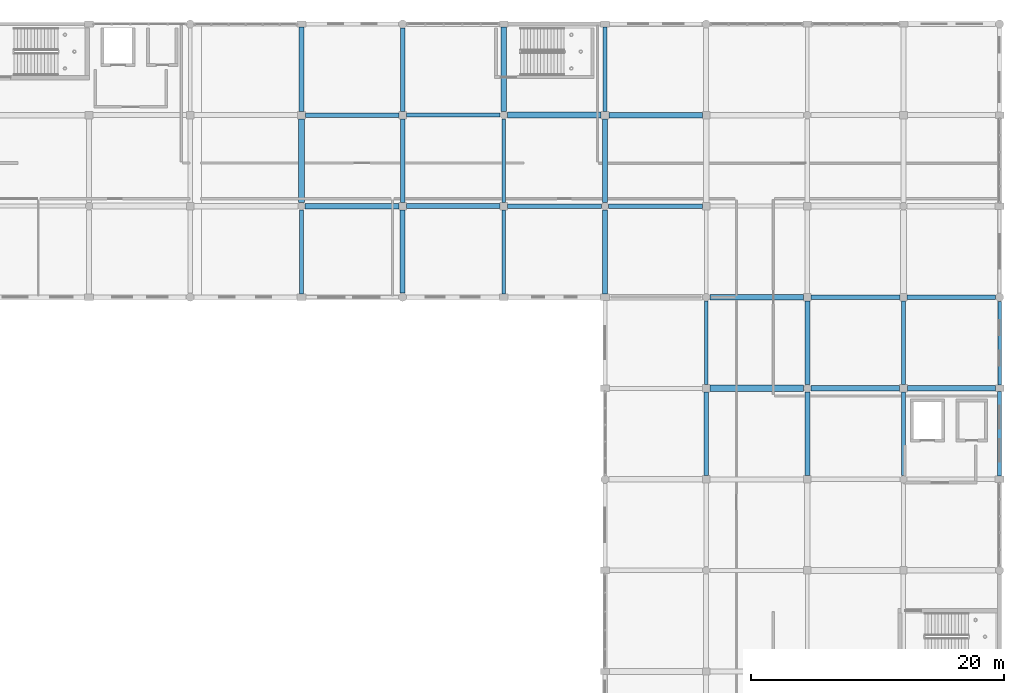
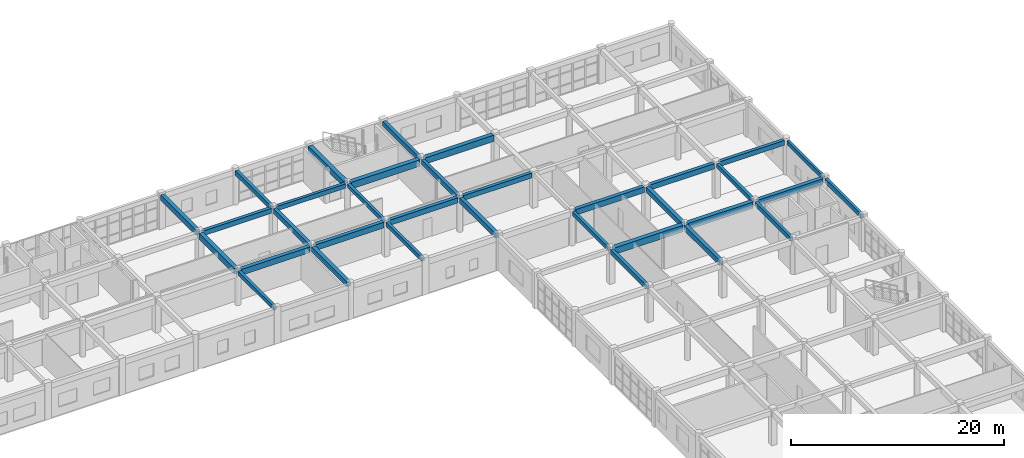
# One storey, part 29 of 53: 34 beams.
"""IFC4 building model written with IfcOpenShell, lengths in metres."""

from ifc_helpers import new_model, si_unit, direction, frame, origin, origin_2d, place, context, subcontext, project, spatial, rectangle, extrude, material, material_profile, profile_set, type_object, element, save


model = new_model("IFC4")

# Units and contexts
model_context = context("Model", 3, precision=1e-05, world=origin(), true_north=direction((0.0, 1.0)))
body_context = subcontext(model_context, "Body", "Model", "MODEL_VIEW")
ifc_project = project(units=[si_unit("LENGTHUNIT", "METRE"), si_unit("AREAUNIT", "SQUARE_METRE"), si_unit("VOLUMEUNIT", "CUBIC_METRE"), si_unit("PLANEANGLEUNIT", "RADIAN"), si_unit("MASSUNIT", "GRAM", prefix="KILO")], contexts=[model_context])

# Site, building, storey
site_placement = place(None, origin())
site = spatial("IfcSite", under=ifc_project, at=site_placement, CompositionType="ELEMENT")
building_placement = place(site_placement, origin())
building = spatial("IfcBuilding", under=site, at=building_placement, Name="Kharva Crest Polytechnic", CompositionType="ELEMENT")
storey_placement = place(building_placement, frame((0.0, 0.0, 17.39990234375)))
storey = spatial("IfcBuildingStorey", under=building, at=storey_placement, Name="L04", CompositionType="ELEMENT", Elevation=17.39990234375)

# Beams
ifc_material = material(Name="Concrete C35/45", Category="concrete")
ifc_material_profile_1 = material_profile(ifc_material, rectangle(XDim=0.300048828125, YDim=0.449951171875, at=origin_2d()), Name="RECT 300 X 450")
ifc_profile_set_1 = profile_set([ifc_material_profile_1], Name="Concrete C35/45")
beam_type_1 = type_object("IfcBeamType", Name="BM-RC-300X450", PredefinedType="BEAM", material=ifc_profile_set_1)
beam_1_placement = place(storey_placement, frame((128.800048828125, 100.64990234375, 3.7451171875), z_axis=(0.0, 1.0, 0.0), x_axis=(-1.0, 0.0, 0.0)))
element("IfcBeam", 1, at=beam_1_placement, inside=storey, type_object=beam_type_1, Name="L04 Girder 17/P-Q", PredefinedType="BEAM", context=body_context, shape_type="SweptSolid", body=[
    extrude(rectangle(XDim=0.300048828125, YDim=0.449951171875, at=origin_2d()), origin(), (0.0, 0.0, 1.0), 6.66015625),
])
beam_2_placement = place(storey_placement, frame((144.800048828125, 107.889892578125, 3.7451171875), z_axis=(0.0, 1.0, 0.0), x_axis=(-1.0, 0.0, 0.0)))
element("IfcBeam", 2, at=beam_2_placement, inside=storey, type_object=beam_type_1, Name="L04 Girder 19/Q-R", PredefinedType="BEAM", context=body_context, shape_type="SweptSolid", body=[
    extrude(rectangle(XDim=0.300048828125, YDim=0.449951171875, at=origin_2d()), origin(), (0.0, 0.0, 1.0), 6.6201171875),
])
beam_3_placement = place(storey_placement, frame((176.39990234375, 93.5, 3.7451171875), z_axis=(0.0, 1.0, 0.0), x_axis=(-1.0, 0.0, 0.0)))
element("IfcBeam", 3, at=beam_3_placement, inside=storey, type_object=beam_type_1, Name="L04 Girder 23/N-P", PredefinedType="BEAM", context=body_context, shape_type="SweptSolid", body=[
    extrude(rectangle(XDim=0.300048828125, YDim=0.449951171875, at=origin_2d()), origin(), (0.0, 0.0, 1.0), 6.610107421875),
])
ifc_material_profile_2 = material_profile(ifc_material, rectangle(XDim=0.300048828125, YDim=0.47998046875, at=origin_2d()), Name="RECT 300 X 480")
ifc_profile_set_2 = profile_set([ifc_material_profile_2], Name="Concrete C35/45")
beam_type_2 = type_object("IfcBeamType", Name="BM-RC-300X480", PredefinedType="BEAM", material=ifc_profile_set_2)
beam_4_placement = place(storey_placement, frame((144.800048828125, 100.64990234375, 3.72998046875), z_axis=(0.0, 1.0, 0.0), x_axis=(-1.0, 0.0, 0.0)))
element("IfcBeam", 4, at=beam_4_placement, inside=storey, type_object=beam_type_2, Name="L04 Girder 19/P-Q", PredefinedType="BEAM", context=body_context, shape_type="SweptSolid", body=[
    extrude(rectangle(XDim=0.300048828125, YDim=0.47998046875, at=origin_2d()), origin(), (0.0, 0.0, 1.0), 6.66015625),
])
beam_5_placement = place(storey_placement, frame((160.800048828125, 93.489990234375, 3.72998046875), z_axis=(0.0, 1.0, 0.0), x_axis=(-1.0, 0.0, 0.0)))
element("IfcBeam", 5, at=beam_5_placement, inside=storey, type_object=beam_type_2, Name="L04 Girder 21/N-P", PredefinedType="BEAM", context=body_context, shape_type="SweptSolid", body=[
    extrude(rectangle(XDim=0.300048828125, YDim=0.47998046875, at=origin_2d()), origin(), (0.0, 0.0, 1.0), 6.6201171875),
])
beam_6_placement = place(storey_placement, frame((176.39990234375, 86.2900390625, 3.72998046875), z_axis=(0.0, 1.0, 0.0), x_axis=(-1.0, 0.0, 0.0)))
element("IfcBeam", 6, at=beam_6_placement, inside=storey, type_object=beam_type_2, Name="L04 Girder 23/M-N", PredefinedType="BEAM", context=body_context, shape_type="SweptSolid", body=[
    extrude(rectangle(XDim=0.300048828125, YDim=0.47998046875, at=origin_2d()), origin(), (0.0, 0.0, 1.0), 6.60986328125),
])
ifc_material_profile_3 = material_profile(ifc_material, rectangle(XDim=0.320068359375, YDim=0.5, at=origin_2d()), Name="RECT 320 X 500")
ifc_profile_set_3 = profile_set([ifc_material_profile_3], Name="Concrete C35/45")
beam_type_3 = type_object("IfcBeamType", Name="BM-RC-320X500", PredefinedType="BEAM", material=ifc_profile_set_3)
beam_7_placement = place(storey_placement, frame((137.090087890625, 114.800048828125, 3.72021484375), z_axis=(1.0, 0.0, 0.0), x_axis=(0.0, 1.0, 0.0)))
element("IfcBeam", 7, at=beam_7_placement, inside=storey, type_object=beam_type_3, Name="L04 Beam R/18-19", PredefinedType="BEAM", context=body_context, shape_type="SweptSolid", body=[
    extrude(rectangle(XDim=0.320068359375, YDim=0.5, at=origin_2d()), origin(), (0.0, 0.0, 1.0), 7.419921875),
])
ifc_material_profile_4 = material_profile(ifc_material, rectangle(XDim=0.340087890625, YDim=0.52001953125, at=origin_2d()), Name="RECT 340 X 520")
ifc_profile_set_4 = profile_set([ifc_material_profile_4], Name="Concrete C35/45")
beam_type_4 = type_object("IfcBeamType", Name="BM-RC-340X520", PredefinedType="BEAM", material=ifc_profile_set_4)
beam_8_placement = place(storey_placement, frame((136.800048828125, 115.090087890625, 3.710205078125), z_axis=(0.0, 1.0, 0.0), x_axis=(-1.0, 0.0, 0.0)))
element("IfcBeam", 8, at=beam_8_placement, inside=storey, type_object=beam_type_4, Name="L04 Girder 18/R-S", PredefinedType="BEAM", context=body_context, shape_type="SweptSolid", body=[
    extrude(rectangle(XDim=0.340087890625, YDim=0.52001953125, at=origin_2d()), origin(), (0.0, 0.0, 1.0), 6.58984375),
])
beam_9_placement = place(storey_placement, frame((152.800048828125, 115.10009765625, 3.710205078125), z_axis=(0.0, 1.0, 0.0), x_axis=(-1.0, 0.0, 0.0)))
element("IfcBeam", 9, at=beam_9_placement, inside=storey, type_object=beam_type_4, Name="L04 Girder 20/R-S", PredefinedType="BEAM", context=body_context, shape_type="SweptSolid", body=[
    extrude(rectangle(XDim=0.340087890625, YDim=0.52001953125, at=origin_2d()), origin(), (0.0, 0.0, 1.0), 6.64990234375),
])
beam_10_placement = place(storey_placement, frame((160.800048828125, 86.300048828125, 3.710205078125), z_axis=(0.0, 1.0, 0.0), x_axis=(-1.0, 0.0, 0.0)))
element("IfcBeam", 10, at=beam_10_placement, inside=storey, type_object=beam_type_4, Name="L04 Girder 21/M-N", PredefinedType="BEAM", context=body_context, shape_type="SweptSolid", body=[
    extrude(rectangle(XDim=0.340087890625, YDim=0.52001953125, at=origin_2d()), origin(), (0.0, 0.0, 1.0), 6.60986328125),
])
ifc_material_profile_5 = material_profile(ifc_material, rectangle(XDim=0.35009765625, YDim=0.550048828125, at=origin_2d()), Name="RECT 350 X 550")
ifc_profile_set_5 = profile_set([ifc_material_profile_5], Name="Concrete C35/45")
beam_type_5 = type_object("IfcBeamType", Name="BM-RC-350X550", PredefinedType="BEAM", material=ifc_profile_set_5)
beam_11_placement = place(storey_placement, frame((176.68994140625, 100.39990234375, 3.695068359375), z_axis=(1.0, 0.0, 0.0), x_axis=(0.0, 1.0, 0.0)))
element("IfcBeam", 11, at=beam_11_placement, inside=storey, type_object=beam_type_5, Name="L04 Beam P/23-24", PredefinedType="BEAM", context=body_context, shape_type="SweptSolid", body=[
    extrude(rectangle(XDim=0.35009765625, YDim=0.550048828125, at=origin_2d()), origin(), (0.0, 0.0, 1.0), 6.989990234375),
])
for number, where, z_axis, x_axis, name in (
    (12, (153.090087890625, 107.60009765625, 3.695068359375), (1.0, 0.0, 0.0), (0.0, 1.0, 0.0), "L04 Beam Q/20-21"),
    (13, (129.10009765625, 114.800048828125, 3.695068359375), (1.0, 0.0, 0.0), (0.0, 1.0, 0.0), "L04 Beam R/17-18"),
):
    element("IfcBeam", number, at=place(storey_placement, frame(where, z_axis=z_axis, x_axis=x_axis)), inside=storey, type_object=beam_type_5, Name=name, PredefinedType="BEAM", context=body_context, shape_type="SweptSolid", body=[
        extrude(rectangle(XDim=0.35009765625, YDim=0.550048828125, at=origin_2d()), origin(), (0.0, 0.0, 1.0), 7.409912109375),
    ])
ifc_material_profile_6 = material_profile(ifc_material, rectangle(XDim=0.360107421875, YDim=0.580078125, at=origin_2d()), Name="RECT 360 X 580")
ifc_profile_set_6 = profile_set([ifc_material_profile_6], Name="Concrete C35/45")
beam_type_6 = type_object("IfcBeamType", Name="BM-RC-360X580", PredefinedType="BEAM", material=ifc_profile_set_6)
for number, where, z_axis, x_axis, name in (
    (14, (136.800048828125, 107.89990234375, 3.68017578125), (0.0, 1.0, 0.0), (-1.0, 0.0, 0.0), "L04 Girder 18/Q-R"),
    (15, (152.800048828125, 107.889892578125, 3.68017578125), (0.0, 1.0, 0.0), (-1.0, 0.0, 0.0), "L04 Girder 20/Q-R"),
):
    element("IfcBeam", number, at=place(storey_placement, frame(where, z_axis=z_axis, x_axis=x_axis)), inside=storey, type_object=beam_type_6, Name=name, PredefinedType="BEAM", context=body_context, shape_type="SweptSolid", body=[
        extrude(rectangle(XDim=0.360107421875, YDim=0.580078125, at=origin_2d()), origin(), (0.0, 0.0, 1.0), 6.610107421875),
    ])
ifc_material_profile_7 = material_profile(ifc_material, rectangle(XDim=0.3798828125, YDim=0.60009765625, at=origin_2d()), Name="RECT 380 X 600")
ifc_profile_set_7 = profile_set([ifc_material_profile_7], Name="Concrete C35/45")
beam_type_7 = type_object("IfcBeamType", Name="BM-RC-380X600", PredefinedType="BEAM", material=ifc_profile_set_7)
beam_12_placement = place(storey_placement, frame((169.10009765625, 100.39990234375, 3.670166015625), z_axis=(1.0, 0.0, 0.0), x_axis=(0.0, 1.0, 0.0)))
element("IfcBeam", 16, at=beam_12_placement, inside=storey, type_object=beam_type_7, Name="L04 Beam P/22-23", PredefinedType="BEAM", context=body_context, shape_type="SweptSolid", body=[
    extrude(rectangle(XDim=0.3798828125, YDim=0.60009765625, at=origin_2d()), origin(), (0.0, 0.0, 1.0), 7.010009765625),
])
beam_13_placement = place(storey_placement, frame((145.090087890625, 107.60009765625, 3.670166015625), z_axis=(1.0, 0.0, 0.0), x_axis=(0.0, 1.0, 0.0)))
element("IfcBeam", 17, at=beam_13_placement, inside=storey, type_object=beam_type_7, Name="L04 Beam Q/19-20", PredefinedType="BEAM", context=body_context, shape_type="SweptSolid", body=[
    extrude(rectangle(XDim=0.3798828125, YDim=0.60009765625, at=origin_2d()), origin(), (0.0, 0.0, 1.0), 7.419921875),
])
ifc_material_profile_8 = material_profile(ifc_material, rectangle(XDim=0.39990234375, YDim=0.580078125, at=origin_2d()), Name="RECT 400 X 580")
ifc_profile_set_8 = profile_set([ifc_material_profile_8], Name="Concrete C35/45")
beam_type_8 = type_object("IfcBeamType", Name="BM-RC-400X580", PredefinedType="BEAM", material=ifc_profile_set_8)
beam_14_placement = place(storey_placement, frame((136.800048828125, 100.719970703125, 3.68017578125), z_axis=(0.0, 1.0, 0.0), x_axis=(-1.0, 0.0, 0.0)))
element("IfcBeam", 18, at=beam_14_placement, inside=storey, type_object=beam_type_8, Name="L04 Girder 18/P-Q", PredefinedType="BEAM", context=body_context, shape_type="SweptSolid", body=[
    extrude(rectangle(XDim=0.39990234375, YDim=0.580078125, at=origin_2d()), origin(), (0.0, 0.0, 1.0), 6.580078125),
])
beam_15_placement = place(storey_placement, frame((152.800048828125, 100.64990234375, 3.68017578125), z_axis=(0.0, 1.0, 0.0), x_axis=(-1.0, 0.0, 0.0)))
element("IfcBeam", 19, at=beam_15_placement, inside=storey, type_object=beam_type_8, Name="L04 Girder 20/P-Q", PredefinedType="BEAM", context=body_context, shape_type="SweptSolid", body=[
    extrude(rectangle(XDim=0.39990234375, YDim=0.580078125, at=origin_2d()), origin(), (0.0, 0.0, 1.0), 6.66015625),
])
beam_16_placement = place(storey_placement, frame((168.800048828125, 93.489990234375, 3.68017578125), z_axis=(0.0, 1.0, 0.0), x_axis=(-1.0, 0.0, 0.0)))
element("IfcBeam", 20, at=beam_16_placement, inside=storey, type_object=beam_type_8, Name="L04 Girder 22/N-P", PredefinedType="BEAM", context=body_context, shape_type="SweptSolid", body=[
    extrude(rectangle(XDim=0.39990234375, YDim=0.580078125, at=origin_2d()), origin(), (0.0, 0.0, 1.0), 6.610107421875),
])
ifc_material_profile_9 = material_profile(ifc_material, rectangle(XDim=0.39990234375, YDim=0.6201171875, at=origin_2d()), Name="RECT 400 X 620")
ifc_profile_set_9 = profile_set([ifc_material_profile_9], Name="Concrete C35/45")
beam_type_9 = type_object("IfcBeamType", Name="BM-RC-400X620", PredefinedType="BEAM", material=ifc_profile_set_9)
beam_17_placement = place(storey_placement, frame((128.800048828125, 115.10009765625, 3.66015625), z_axis=(0.0, 1.0, 0.0), x_axis=(-1.0, 0.0, 0.0)))
element("IfcBeam", 21, at=beam_17_placement, inside=storey, type_object=beam_type_9, Name="L04 Girder 17/R-S", PredefinedType="BEAM", context=body_context, shape_type="SweptSolid", body=[
    extrude(rectangle(XDim=0.39990234375, YDim=0.6201171875, at=origin_2d()), origin(), (0.0, 0.0, 1.0), 6.64990234375),
])
beam_18_placement = place(storey_placement, frame((168.800048828125, 86.2900390625, 3.66015625), z_axis=(0.0, 1.0, 0.0), x_axis=(-1.0, 0.0, 0.0)))
element("IfcBeam", 22, at=beam_18_placement, inside=storey, type_object=beam_type_9, Name="L04 Girder 22/M-N", PredefinedType="BEAM", context=body_context, shape_type="SweptSolid", body=[
    extrude(rectangle(XDim=0.39990234375, YDim=0.6201171875, at=origin_2d()), origin(), (0.0, 0.0, 1.0), 6.619873046875),
])
ifc_material_profile_10 = material_profile(ifc_material, rectangle(XDim=0.39990234375, YDim=0.64990234375, at=origin_2d()), Name="RECT 400 X 650")
ifc_profile_set_10 = profile_set([ifc_material_profile_10], Name="Concrete C35/45")
beam_type_10 = type_object("IfcBeamType", Name="BM-RC-400X650", PredefinedType="BEAM", material=ifc_profile_set_10)
for number, where, z_axis, x_axis, name in (
    (23, (161.090087890625, 100.39990234375, 3.64501953125), (1.0, 0.0, 0.0), (0.0, 1.0, 0.0), "L04 Beam P/21-22"),
    (24, (137.10009765625, 107.60009765625, 3.64501953125), (1.0, 0.0, 0.0), (0.0, 1.0, 0.0), "L04 Beam Q/18-19"),
):
    element("IfcBeam", number, at=place(storey_placement, frame(where, z_axis=z_axis, x_axis=x_axis)), inside=storey, type_object=beam_type_10, Name=name, PredefinedType="BEAM", context=body_context, shape_type="SweptSolid", body=[
        extrude(rectangle(XDim=0.39990234375, YDim=0.64990234375, at=origin_2d()), origin(), (0.0, 0.0, 1.0), 7.409912109375),
    ])
ifc_material_profile_11 = material_profile(ifc_material, rectangle(XDim=0.419921875, YDim=0.659912109375, at=origin_2d()), Name="RECT 420 X 660")
ifc_profile_set_11 = profile_set([ifc_material_profile_11], Name="Concrete C35/45")
beam_type_11 = type_object("IfcBeamType", Name="BM-RC-420X660", PredefinedType="BEAM", material=ifc_profile_set_11)
beam_19_placement = place(storey_placement, frame((176.699951171875, 93.199951171875, 3.64013671875), z_axis=(1.0, 0.0, 0.0), x_axis=(0.0, 1.0, 0.0)))
element("IfcBeam", 25, at=beam_19_placement, inside=storey, type_object=beam_type_11, Name="L04 Beam N/23-24", PredefinedType="BEAM", context=body_context, shape_type="SweptSolid", body=[
    extrude(rectangle(XDim=0.419921875, YDim=0.659912109375, at=origin_2d()), origin(), (0.0, 0.0, 1.0), 6.9599609375),
])
beam_20_placement = place(storey_placement, frame((129.090087890625, 107.60009765625, 3.64013671875), z_axis=(1.0, 0.0, 0.0), x_axis=(0.0, 1.0, 0.0)))
element("IfcBeam", 26, at=beam_20_placement, inside=storey, type_object=beam_type_11, Name="L04 Beam Q/17-18", PredefinedType="BEAM", context=body_context, shape_type="SweptSolid", body=[
    extrude(rectangle(XDim=0.419921875, YDim=0.659912109375, at=origin_2d()), origin(), (0.0, 0.0, 1.0), 7.409912109375),
])
ifc_material_profile_12 = material_profile(ifc_material, rectangle(XDim=0.449951171875, YDim=0.679931640625, at=origin_2d()), Name="RECT 450 X 680")
ifc_profile_set_12 = profile_set([ifc_material_profile_12], Name="Concrete C35/45")
beam_type_12 = type_object("IfcBeamType", Name="BM-RC-450X680", PredefinedType="BEAM", material=ifc_profile_set_12)
beam_21_placement = place(storey_placement, frame((128.800048828125, 107.889892578125, 3.630126953125), z_axis=(0.0, 1.0, 0.0), x_axis=(-1.0, 0.0, 0.0)))
element("IfcBeam", 27, at=beam_21_placement, inside=storey, type_object=beam_type_12, Name="L04 Girder 17/Q-R", PredefinedType="BEAM", context=body_context, shape_type="SweptSolid", body=[
    extrude(rectangle(XDim=0.449951171875, YDim=0.679931640625, at=origin_2d()), origin(), (0.0, 0.0, 1.0), 6.610107421875),
])
beam_22_placement = place(storey_placement, frame((144.800048828125, 115.090087890625, 3.630126953125), z_axis=(0.0, 1.0, 0.0), x_axis=(-1.0, 0.0, 0.0)))
element("IfcBeam", 28, at=beam_22_placement, inside=storey, type_object=beam_type_12, Name="L04 Girder 19/R-S", PredefinedType="BEAM", context=body_context, shape_type="SweptSolid", body=[
    extrude(rectangle(XDim=0.449951171875, YDim=0.679931640625, at=origin_2d()), origin(), (0.0, 0.0, 1.0), 6.659912109375),
])
ifc_material_profile_13 = material_profile(ifc_material, rectangle(XDim=0.449951171875, YDim=0.719970703125, at=origin_2d()), Name="RECT 450 X 720")
ifc_profile_set_13 = profile_set([ifc_material_profile_13], Name="Concrete C35/45")
beam_type_13 = type_object("IfcBeamType", Name="BM-RC-450X720", PredefinedType="BEAM", material=ifc_profile_set_13)
beam_23_placement = place(storey_placement, frame((169.090087890625, 93.199951171875, 3.610107421875), z_axis=(1.0, 0.0, 0.0), x_axis=(0.0, 1.0, 0.0)))
element("IfcBeam", 29, at=beam_23_placement, inside=storey, type_object=beam_type_13, Name="L04 Beam N/22-23", PredefinedType="BEAM", context=body_context, shape_type="SweptSolid", body=[
    extrude(rectangle(XDim=0.449951171875, YDim=0.719970703125, at=origin_2d()), origin(), (0.0, 0.0, 1.0), 7.010009765625),
])
beam_24_placement = place(storey_placement, frame((153.10009765625, 114.800048828125, 3.610107421875), z_axis=(1.0, 0.0, 0.0), x_axis=(0.0, 1.0, 0.0)))
element("IfcBeam", 30, at=beam_24_placement, inside=storey, type_object=beam_type_13, Name="L04 Beam R/20-21", PredefinedType="BEAM", context=body_context, shape_type="SweptSolid", body=[
    extrude(rectangle(XDim=0.449951171875, YDim=0.719970703125, at=origin_2d()), origin(), (0.0, 0.0, 1.0), 7.409912109375),
])
ifc_material_profile_14 = material_profile(ifc_material, rectangle(XDim=0.47998046875, YDim=0.75, at=origin_2d()), Name="RECT 480 X 750")
ifc_profile_set_14 = profile_set([ifc_material_profile_14], Name="Concrete C35/45")
beam_type_14 = type_object("IfcBeamType", Name="BM-RC-480X750", PredefinedType="BEAM", material=ifc_profile_set_14)
beam_25_placement = place(storey_placement, frame((161.090087890625, 93.199951171875, 3.59521484375), z_axis=(1.0, 0.0, 0.0), x_axis=(0.0, 1.0, 0.0)))
element("IfcBeam", 31, at=beam_25_placement, inside=storey, type_object=beam_type_14, Name="L04 Beam N/21-22", PredefinedType="BEAM", context=body_context, shape_type="SweptSolid", body=[
    extrude(rectangle(XDim=0.47998046875, YDim=0.75, at=origin_2d()), origin(), (0.0, 0.0, 1.0), 7.419921875),
])
beam_26_placement = place(storey_placement, frame((145.090087890625, 114.800048828125, 3.59521484375), z_axis=(1.0, 0.0, 0.0), x_axis=(0.0, 1.0, 0.0)))
element("IfcBeam", 32, at=beam_26_placement, inside=storey, type_object=beam_type_14, Name="L04 Beam R/19-20", PredefinedType="BEAM", context=body_context, shape_type="SweptSolid", body=[
    extrude(rectangle(XDim=0.47998046875, YDim=0.75, at=origin_2d()), origin(), (0.0, 0.0, 1.0), 7.409912109375),
])
ifc_material_profile_15 = material_profile(ifc_material, rectangle(XDim=0.280029296875, YDim=0.4599609375, at=origin_2d()), Name="RECT 280 X 460")
ifc_profile_set_15 = profile_set([ifc_material_profile_15], Name="Concrete C35/45")
beam_type_15 = type_object("IfcBeamType", Name="SP-RC-280X460", PredefinedType="SPANDREL", material=ifc_profile_set_15)
beam_27_placement = place(storey_placement, frame((184.0, 93.449951171875, 3.739990234375), z_axis=(0.0, 1.0, 0.0), x_axis=(-1.0, 0.0, 0.0)))
element("IfcBeam", 33, at=beam_27_placement, inside=storey, type_object=beam_type_15, Name="L04 Girder 24/N-P", PredefinedType="SPANDREL", context=body_context, shape_type="SweptSolid", body=[
    extrude(rectangle(XDim=0.280029296875, YDim=0.4599609375, at=origin_2d()), origin(), (0.0, 0.0, 1.0), 6.630126953125),
])
ifc_material_profile_16 = material_profile(ifc_material, rectangle(XDim=0.300048828125, YDim=0.52001953125, at=origin_2d()), Name="RECT 300 X 520")
ifc_profile_set_16 = profile_set([ifc_material_profile_16], Name="Concrete C35/45")
beam_type_16 = type_object("IfcBeamType", Name="SP-RC-300X520", PredefinedType="SPANDREL", material=ifc_profile_set_16)
beam_28_placement = place(storey_placement, frame((184.0, 86.25, 3.710205078125), z_axis=(0.0, 1.0, 0.0), x_axis=(-1.0, 0.0, 0.0)))
element("IfcBeam", 34, at=beam_28_placement, inside=storey, type_object=beam_type_16, Name="L04 Girder 24/M-N", PredefinedType="SPANDREL", context=body_context, shape_type="SweptSolid", body=[
    extrude(rectangle(XDim=0.300048828125, YDim=0.52001953125, at=origin_2d()), origin(), (0.0, 0.0, 1.0), 6.699951171875),
])

save(model, "model.ifc")
